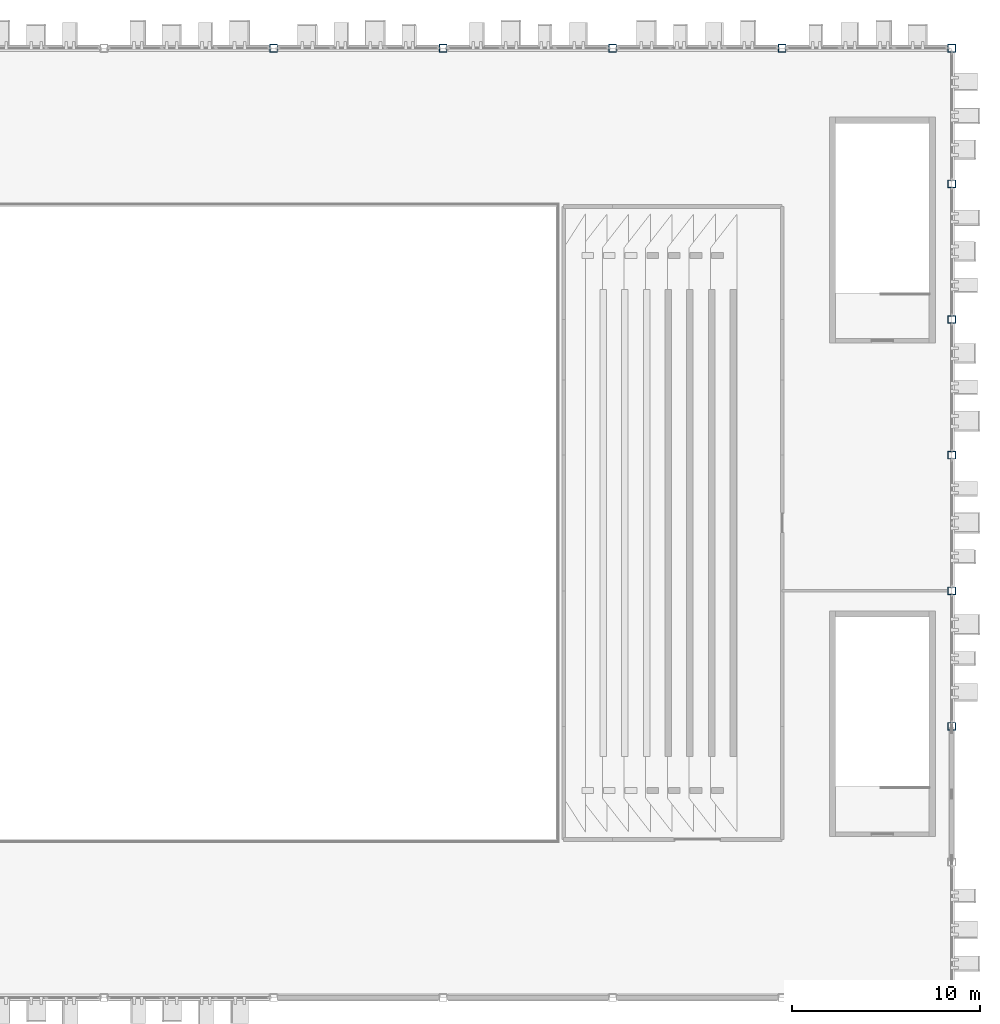
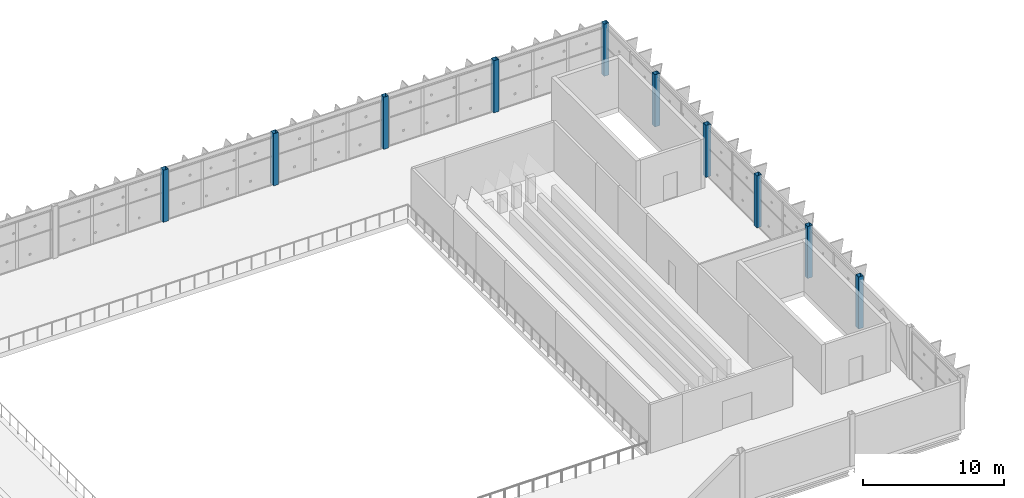
# One storey, part 13 of 151: 10 columns.
"""IFC4 building model written with IfcOpenShell, lengths in metres."""

from ifc_helpers import new_model, si_unit, direction, frame, origin, origin_2d, place, context, subcontext, project, spatial, hollow_rectangle, extrude, material, material_profile, profile_set, type_object, element, save


model = new_model("IFC4")

# Units and contexts
model_context = context("Model", 3, precision=1e-05, world=origin(), true_north=direction((0.0, 1.0)))
body_context = subcontext(model_context, "Body", "Model", "MODEL_VIEW")
ifc_project = project(units=[si_unit("LENGTHUNIT", "METRE"), si_unit("AREAUNIT", "SQUARE_METRE"), si_unit("VOLUMEUNIT", "CUBIC_METRE"), si_unit("PLANEANGLEUNIT", "RADIAN"), si_unit("MASSUNIT", "GRAM", prefix="KILO")], contexts=[model_context])

# Site, building, storey
site_placement = place(None, origin())
site = spatial("IfcSite", under=ifc_project, at=site_placement, CompositionType="ELEMENT")
building_placement = place(site_placement, origin())
building = spatial("IfcBuilding", under=site, at=building_placement, Name="Celestram Park Convention Centre", CompositionType="ELEMENT")
storey_placement = place(building_placement, frame((0.0, 0.0, 10.800048828125)))
storey = spatial("IfcBuildingStorey", under=building, at=storey_placement, Name="L02", CompositionType="ELEMENT", Elevation=10.800048828125)

# Columns
ifc_material = material(Name="Steel ASTM A500 Grade C", Category="steel")
ifc_material_profile = material_profile(ifc_material, hollow_rectangle(XDim=0.39990234375, YDim=0.39990234375, WallThickness=0.01611328125, at=origin_2d()), Name="HSS400X400X16")
ifc_profile_set = profile_set([ifc_material_profile], Name="Steel ASTM A500 Grade C")
column_type = type_object("IfcColumnType", Name="STR-COL-HSS400", PredefinedType="COLUMN", material=ifc_profile_set)
for number, where, z_axis, x_axis, name in (
    (1, (180.0, 165.60009765625, 0.0), (0.0, 0.0, 1.0), (1.0, 0.0, 0.0), "Column CN-L02-210"),
    (2, (189.0, 165.60009765625, 0.0), (0.0, 0.0, 1.0), (1.0, 0.0, 0.0), "Column CN-L02-214"),
    (3, (198.0, 165.60009765625, 0.0), (0.0, 0.0, 1.0), (1.0, 0.0, 0.0), "Column CN-L02-218"),
    (4, (207.0, 165.60009765625, 0.0), (0.0, 0.0, 1.0), (1.0, 0.0, 0.0), "Column CN-L02-222"),
    (5, (216.0, 129.60009765625, 0.0), (0.0, 0.0, 1.0), (1.0, 0.0, 0.0), "Column CN-L02-231"),
    (6, (216.0, 136.800048828125, 0.0), (0.0, 0.0, 1.0), (1.0, 0.0, 0.0), "Column CN-L02-232"),
    (7, (216.0, 144.0, 0.0), (0.0, 0.0, 1.0), (1.0, 0.0, 0.0), "Column CN-L02-233"),
    (8, (216.0, 151.199951171875, 0.0), (0.0, 0.0, 1.0), (1.0, 0.0, 0.0), "Column CN-L02-234"),
    (9, (216.0, 158.39990234375, 0.0), (0.0, 0.0, 1.0), (1.0, 0.0, 0.0), "Column CN-L02-235"),
    (10, (216.0, 165.60009765625, 0.0), (0.0, 0.0, 1.0), (1.0, 0.0, 0.0), "Column CN-L02-236"),
):
    element("IfcColumn", number, at=place(storey_placement, frame(where, z_axis=z_axis, x_axis=x_axis)), inside=storey, type_object=column_type, Name=name, PredefinedType="COLUMN", context=body_context, shape_type="SweptSolid", body=[
        extrude(hollow_rectangle(XDim=0.39990234375, YDim=0.39990234375, WallThickness=0.01611328125, at=origin_2d()), origin(), (0.0, 0.0, 1.0), 4.5),
    ])

save(model, "model.ifc")
